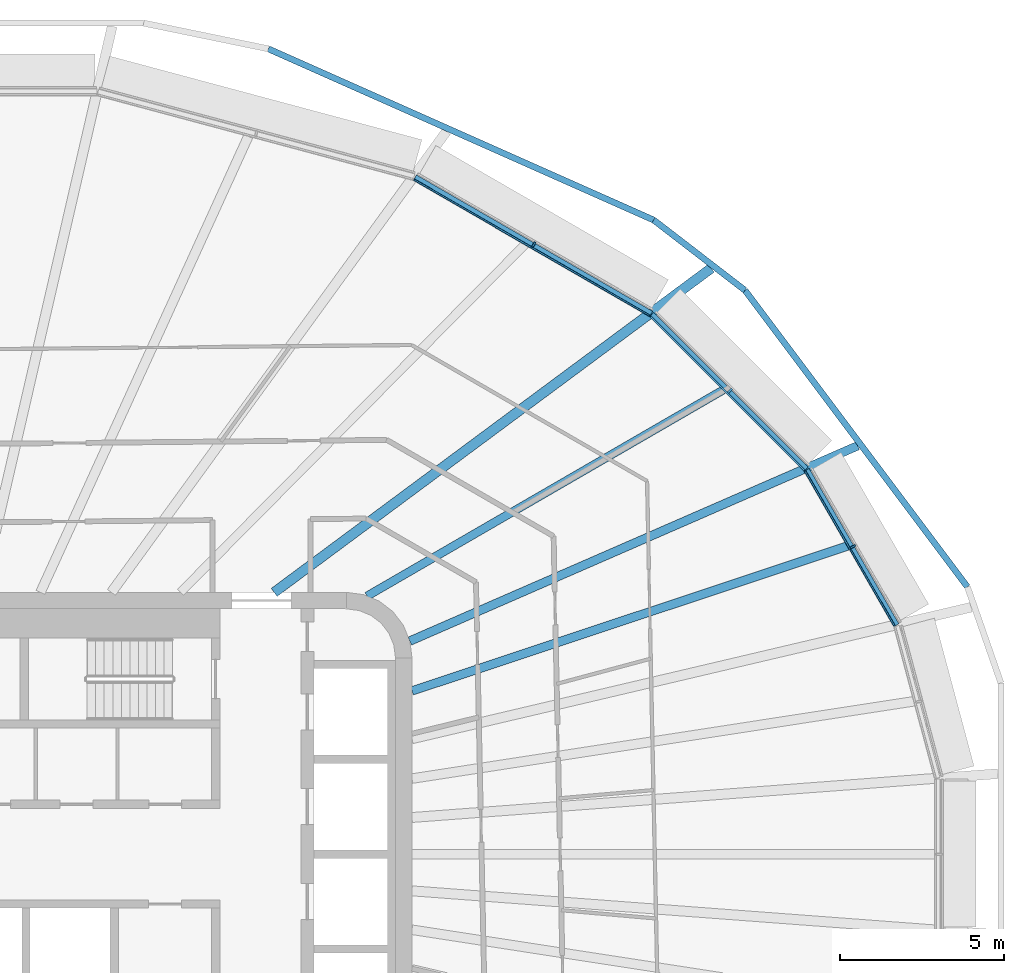
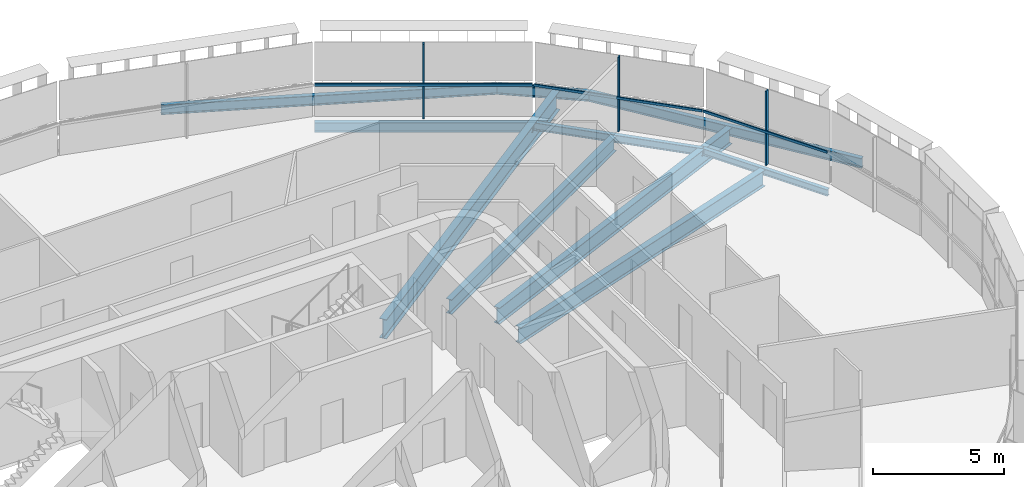
# One storey, part 7 of 23: 10 beams, 6 members, 3 elements without a shape of their own.
"""IFC4 building model written with IfcOpenShell, lengths in metres."""

import ifcopenshell
import ifcopenshell.guid

model = None  # the IFC model being written
_history = None  # IfcOwnerHistory: only IFC2X3 demands one
_inside = {}  # id of a spatial element -> (the spatial element, [elements in it])
_under = {}  # id of a project, library or spatial element -> (it, [spatial elements below it])
_declared = {}  # id of a project -> (the project, [libraries it declares])
_typed = {}  # id of a type object -> (the type object, [elements of that type])
_made_of = {}  # id of a material, layer set ... -> (it, [elements and type objects made of it])


def new_model(schema):
    """Start an empty IFC model of exactly this schema.

    Asked for "IFC4X3", IfcOpenShell would pick the latest addendum, in which some entities
    have other attributes; the version numbers below select the first issue.
    IFC2X3 requires an IfcOwnerHistory on every rooted entity: one is made here for all.
    """
    global model, _history
    if schema == "IFC4X3":
        model = ifcopenshell.file(schema_version=(4, 3, 0, 0))
    else:
        model = ifcopenshell.file(schema=schema)
    _inside.clear()
    _under.clear()
    _declared.clear()
    _typed.clear()
    _made_of.clear()
    _history = None
    if model.schema == "IFC2X3":
        org = make("IfcOrganization", Name="unknown")
        user = make(
            "IfcPersonAndOrganization",
            ThePerson=make("IfcPerson", FamilyName="unknown"),
            TheOrganization=org,
        )
        app = make(
            "IfcApplication",
            ApplicationDeveloper=org,
            Version="unknown",
            ApplicationFullName="unknown",
            ApplicationIdentifier="unknown",
        )
        _history = make(
            "IfcOwnerHistory",
            OwningUser=user,
            OwningApplication=app,
            ChangeAction="ADDED",
            CreationDate=0,
        )
    return model


def make(cls, **values):
    """One entity of the class cls with the attributes given. An attribute that is None is left unset."""
    return model.create_entity(
        cls, **{name: value for name, value in values.items() if value is not None}
    )


def rooted(cls, **values):
    """An entity with a GlobalId (a new one), such as an element, a storey or a relation."""
    return make(cls, GlobalId=ifcopenshell.guid.new(), OwnerHistory=_history, **values)


def si_unit(unit_type, name, prefix=None):
    """IfcSIUnit, for example si_unit("LENGTHUNIT", "METRE", prefix="MILLI")."""
    return make("IfcSIUnit", UnitType=unit_type, Prefix=prefix, Name=name)


def assignment(units):
    """IfcUnitAssignment: the units of a project."""
    return None if units is None else make("IfcUnitAssignment", Units=units)


def point(xyz):
    """IfcCartesianPoint."""
    return None if xyz is None else make("IfcCartesianPoint", Coordinates=xyz)


def direction(xyz):
    """IfcDirection."""
    return None if xyz is None else make("IfcDirection", DirectionRatios=xyz)


def frame(location, z_axis=None, x_axis=None):
    """IfcAxis2Placement3D, a coordinate frame: its origin and axes. An axis left out is left unset."""
    return make(
        "IfcAxis2Placement3D",
        Location=point(location),
        Axis=direction(z_axis),
        RefDirection=direction(x_axis),
    )


def frame_2d(location, x_axis=None):
    """IfcAxis2Placement2D, a coordinate frame in the plane: its origin and x axis."""
    return make(
        "IfcAxis2Placement2D", Location=point(location), RefDirection=direction(x_axis)
    )


def origin():
    """The frame at (0, 0, 0) with its axes left unset."""
    return frame((0.0, 0.0, 0.0))


def origin_2d():
    """The frame at (0, 0) in the plane with its x axis left unset."""
    return frame_2d((0.0, 0.0))


def place(relative_to, where):
    """IfcLocalPlacement: puts the frame where relative to a parent placement (None: the world)."""
    return make(
        "IfcLocalPlacement", PlacementRelTo=relative_to, RelativePlacement=where
    )


def context(
    kind, dimensions, precision=None, world=None, true_north=None, identifier=None
):
    """IfcGeometricRepresentationContext, for example the 3D "Model" context."""
    return make(
        "IfcGeometricRepresentationContext",
        ContextIdentifier=identifier,
        ContextType=kind,
        CoordinateSpaceDimension=dimensions,
        Precision=precision,
        WorldCoordinateSystem=world,
        TrueNorth=true_north,
    )


def subcontext(parent, identifier, kind, view, scale=None):
    """IfcGeometricRepresentationSubContext, for example "Body" below "Model"."""
    return make(
        "IfcGeometricRepresentationSubContext",
        ContextIdentifier=identifier,
        ContextType=kind,
        ParentContext=parent,
        TargetScale=scale,
        TargetView=view,
    )


def project(units=None, contexts=None):
    """IfcProject with its units and contexts."""
    return rooted(
        "IfcProject",
        Name="project",
        RepresentationContexts=contexts,
        UnitsInContext=assignment(units),
    )


def spatial(cls, under=None, at=None, **own):
    """A site, building, storey or space (cls), placed at a placement, below another one or the project."""
    s = rooted(cls, ObjectPlacement=at, **own)
    if under is not None:
        _under.setdefault(under.id(), (under, []))[1].append(s)
    return s


def profile(cls, at=None, kind="AREA", **sizes):
    """A parametric profile (cls). Its sizes go by their IFC names, for example OverallWidth=200.0."""
    return make(cls, ProfileType=kind, Position=at, **sizes)


def rectangle(**sizes):
    """IfcRectangleProfileDef."""
    return profile("IfcRectangleProfileDef", **sizes)


def i_section(**sizes):
    """IfcIShapeProfileDef."""
    return profile("IfcIShapeProfileDef", **sizes)


def extrude(swept, where, along, depth):
    """IfcExtrudedAreaSolid: the profile swept, set in the frame where, extruded along a direction by depth."""
    return make(
        "IfcExtrudedAreaSolid",
        SweptArea=swept,
        Position=where,
        ExtrudedDirection=direction(along),
        Depth=depth,
    )


def shape(context_of_items, identifier, shape_type, items):
    """IfcShapeRepresentation: the items that make up one representation, for example the "Body"."""
    return make(
        "IfcShapeRepresentation",
        ContextOfItems=context_of_items,
        RepresentationIdentifier=identifier,
        RepresentationType=shape_type,
        Items=items,
    )


def material(Name=None, Category=None):
    """IfcMaterial."""
    return make("IfcMaterial", Name=Name, Category=Category)


def layer(
    of_material, thickness, ventilated=None, Name=None, Category=None, Priority=None
):
    """IfcMaterialLayer: one layer of a wall or slab, of a material (None: an air gap)."""
    return make(
        "IfcMaterialLayer",
        Material=of_material,
        LayerThickness=thickness,
        IsVentilated=ventilated,
        Name=Name,
        Category=Category,
        Priority=Priority,
    )


def layer_set(layers, Name=None):
    """IfcMaterialLayerSet."""
    return make("IfcMaterialLayerSet", MaterialLayers=layers, LayerSetName=Name)


def material_profile(
    of_material, cross_section, Name=None, Category=None, Priority=None
):
    """IfcMaterialProfile: a cross section and its material."""
    return make(
        "IfcMaterialProfile",
        Name=Name,
        Material=of_material,
        Profile=cross_section,
        Priority=Priority,
        Category=Category,
    )


def profile_set(profiles, Name=None, composite=None):
    """IfcMaterialProfileSet."""
    return make(
        "IfcMaterialProfileSet",
        Name=Name,
        MaterialProfiles=profiles,
        CompositeProfile=composite,
    )


def made_of(thing, what):
    """Note that an element or type object is made of a material, layer set ...; save() writes the relation."""
    if what is not None:
        _made_of.setdefault(what.id(), (what, []))[1].append(thing)
    return thing


def type_object(cls, material=None, **own):
    """A type object (cls), such as IfcWallType, which elements share."""
    return made_of(rooted(cls, **own), material)


def element(
    cls,
    number,
    at=None,
    inside=None,
    cuts=None,
    type_object=None,
    material=None,
    context=None,
    identifier="Body",
    shape_type=None,
    held_by="IfcProductDefinitionShape",
    body=None,
    shapes=None,
    **own,
):
    """One element of the class cls, such as IfcWall. Its Tag is "e" and its number.

    at: its placement. inside: the storey or other place that contains it. cuts: it is an
    opening in that element (IfcRelVoidsElement). A single representation is given by context,
    identifier, shape_type and body (its items); several are given by shapes. held_by: the class
    of the entity that holds the representations. save() writes the other relations.
    """
    e = rooted(cls, Tag="e%d" % number, ObjectPlacement=at, **own)
    if body is not None:
        shapes = [shape(context, identifier, shape_type, body)]
    if shapes is not None:
        e.Representation = make(held_by, Representations=shapes)
    if inside is not None:
        _inside.setdefault(inside.id(), (inside, []))[1].append(e)
    if cuts is not None:
        rooted(
            "IfcRelVoidsElement", RelatingBuildingElement=cuts, RelatedOpeningElement=e
        )
    if type_object is not None:
        _typed.setdefault(type_object.id(), (type_object, []))[1].append(e)
    return made_of(e, material)


def aggregate(whole, parts):
    """IfcRelAggregates: a whole, such as a stair, and the parts it consists of."""
    return rooted("IfcRelAggregates", RelatingObject=whole, RelatedObjects=parts)


def save(model, path):
    """Write the relations noted so far, then the file.

    IfcRelAggregates (storeys below a building ...), IfcRelContainedInSpatialStructure (elements
    in a storey), IfcRelDefinesByType, IfcRelAssociatesMaterial and IfcRelDeclares: one each for
    every whole, place, type object, material and project.
    """
    for whole, parts in _under.values():
        aggregate(whole, parts)
    for where, things in _inside.values():
        rooted(
            "IfcRelContainedInSpatialStructure",
            RelatedElements=things,
            RelatingStructure=where,
        )
    for kind, things in _typed.values():
        rooted("IfcRelDefinesByType", RelatedObjects=things, RelatingType=kind)
    for what, things in _made_of.values():
        rooted("IfcRelAssociatesMaterial", RelatedObjects=things, RelatingMaterial=what)
    for by, libraries in _declared.values():
        rooted("IfcRelDeclares", RelatingContext=by, RelatedDefinitions=libraries)
    model.write(path)


model = new_model("IFC4")

# Units and contexts
model_context = context("Model", 3, precision=1e-05, world=origin(), true_north=direction((0.0, 1.0)))
body_context = subcontext(model_context, "Body", "Model", "MODEL_VIEW")
ifc_project = project(units=[si_unit("LENGTHUNIT", "METRE"), si_unit("AREAUNIT", "SQUARE_METRE"), si_unit("VOLUMEUNIT", "CUBIC_METRE"), si_unit("PLANEANGLEUNIT", "RADIAN"), si_unit("MASSUNIT", "GRAM", prefix="KILO")], contexts=[model_context])

# Site, building, storey
site_placement = place(None, origin())
site = spatial("IfcSite", under=ifc_project, at=site_placement, CompositionType="ELEMENT")
building_placement = place(site_placement, origin())
building = spatial("IfcBuilding", under=site, at=building_placement, Name="Sahrelin Media Tower", CompositionType="ELEMENT")
storey_placement = place(building_placement, frame((0.0, 0.0, 169.60009765625)))
storey = spatial("IfcBuildingStorey", under=building, at=storey_placement, Name="L35", CompositionType="ELEMENT", Elevation=169.60009765625)

# Beams
ifc_material_1 = material(Name="Steel S355", Category="steel")
ifc_material_profile_1 = material_profile(ifc_material_1, i_section(OverallWidth=0.1650390625, OverallDepth=0.303466796875, WebThickness=0.006103515625, FlangeThickness=0.01025390625, FilletRadius=0.0087890625, at=origin_2d()), Name="UB 305x165x40")
ifc_profile_set_1 = profile_set([ifc_material_profile_1], Name="Steel S355")
beam_type_1 = type_object("IfcBeamType", Name="Edge beam EB2", PredefinedType="BEAM", material=ifc_profile_set_1)
beam_1_placement = place(storey_placement, frame((27.065673828125, 11.747314453125, -0.3017578125), z_axis=(0.500008994894, -0.866020210518, 0.0), x_axis=(0.866020210518, 0.500008994894, 0.0)))
element("IfcBeam", 1, at=beam_1_placement, inside=storey, type_object=beam_type_1, Name="Edge beam L35-23", PredefinedType="BEAM", context=body_context, shape_type="SweptSolid", body=[
    extrude(i_section(OverallWidth=0.1650390625, OverallDepth=0.303466796875, WebThickness=0.006103515625, FlangeThickness=0.01025390625, FilletRadius=0.0087890625, at=origin_2d()), origin(), (0.0, 0.0, 1.0), 5.482421875),
])
ifc_material_profile_2 = material_profile(ifc_material_1, i_section(OverallWidth=0.17138671875, OverallDepth=0.35498046875, WebThickness=0.00732421875, FlangeThickness=0.011474609375, FilletRadius=0.01025390625, at=origin_2d()), Name="UB 356x171x51")
ifc_profile_set_2 = profile_set([ifc_material_profile_2], Name="Steel S355")
beam_type_2 = type_object("IfcBeamType", Name="Edge beam EB3", PredefinedType="BEAM", material=ifc_profile_set_2)
beam_2_placement = place(storey_placement, frame((22.328125, 16.489990234375, -0.32763671875), z_axis=(0.707106781187, -0.707106781187, 0.0), x_axis=(0.707106781187, 0.707106781187, 0.0)))
element("IfcBeam", 2, at=beam_2_placement, inside=storey, type_object=beam_type_2, Name="Edge beam L35-22", PredefinedType="BEAM", context=body_context, shape_type="SweptSolid", body=[
    extrude(i_section(OverallWidth=0.17138671875, OverallDepth=0.35498046875, WebThickness=0.00732421875, FlangeThickness=0.011474609375, FilletRadius=0.01025390625, at=origin_2d()), origin(), (0.0, 0.0, 1.0), 6.675048828125),
])
ifc_material_profile_3 = material_profile(ifc_material_1, i_section(OverallWidth=0.1904296875, OverallDepth=0.45703125, WebThickness=0.009033203125, FlangeThickness=0.014404296875, FilletRadius=0.01025390625, at=origin_2d()), Name="UB 457x191x74")
ifc_profile_set_3 = profile_set([ifc_material_profile_3], Name="Steel S355")
beam_type_3 = type_object("IfcBeamType", Name="Edge beam EB5", PredefinedType="BEAM", material=ifc_profile_set_3)
beam_3_placement = place(storey_placement, frame((15.086669921875, 20.67529296875, -0.378662109375), z_axis=(0.866026580217, -0.499997962354, 0.0), x_axis=(0.499997962354, 0.866026580217, 0.0)))
element("IfcBeam", 3, at=beam_3_placement, inside=storey, type_object=beam_type_3, Name="Edge beam L35-21", PredefinedType="BEAM", context=body_context, shape_type="SweptSolid", body=[
    extrude(i_section(OverallWidth=0.1904296875, OverallDepth=0.45703125, WebThickness=0.009033203125, FlangeThickness=0.014404296875, FilletRadius=0.01025390625, at=origin_2d()), origin(), (0.0, 0.0, 1.0), 8.33544921875),
])

# Curtain wall, member
ifc_material_2 = material(Name="Champagne anodised aluminium 6063-T6", Category="aluminium")
ifc_layer = layer(ifc_material_2, 0.14990234375)
ifc_layer_set = layer_set([ifc_layer], Name="Tower ribbon curtain wall")
curtain_wall_type = type_object("IfcCurtainWallType", Name="Tower ribbon curtain wall", PredefinedType="NOTDEFINED", material=ifc_layer_set)
curtain_wall_1_placement = place(storey_placement, frame((28.566162109375, 9.4482421875, 0.0), z_axis=(0.0, 0.0, 1.0), x_axis=(1.0, 0.0, 0.0)))
curtain_wall_1 = element("IfcCurtainWall", 4, at=curtain_wall_1_placement, inside=storey, type_object=curtain_wall_type, Name="L35:CW:L35-02", PredefinedType="NOTDEFINED")
ifc_material_profile_4 = material_profile(ifc_material_2, rectangle(XDim=0.06005859375, YDim=0.175048828125, at=origin_2d()), Name="Mullion 60x175")
ifc_profile_set_4 = profile_set([ifc_material_profile_4], Name="Champagne anodised aluminium 6063-T6")
member_type_1 = type_object("IfcMemberType", Name="Mullion 60x175 CW1B", PredefinedType="MULLION", material=ifc_profile_set_4)
member_1_placement = place(storey_placement, frame((28.47314453125, 9.39453125, 0.0), z_axis=(0.0, 0.0, 1.0), x_axis=(-0.500009068969, 0.866020167749, 0.0)))
member_1 = element("IfcMember", 5, at=member_1_placement, type_object=member_type_1, Name="L35:CWM:L35-02", PredefinedType="MULLION", context=body_context, shape_type="SweptSolid", body=[
    extrude(rectangle(XDim=0.06005859375, YDim=0.175048828125, at=origin_2d()), origin(), (0.0, 0.0, 1.0), 3.448486328125),
])

curtain_wall_2_placement = place(storey_placement, frame((24.794189453125, 14.236083984375, 0.0), z_axis=(0.0, 0.0, 1.0), x_axis=(1.0, 0.0, 0.0)))
curtain_wall_2 = element("IfcCurtainWall", 6, at=curtain_wall_2_placement, inside=storey, type_object=curtain_wall_type, Name="L35:CW:L35-03", PredefinedType="NOTDEFINED")
member_2_placement = place(storey_placement, frame((24.71826171875, 14.16015625, 0.0), z_axis=(0.0, 0.0, 1.0), x_axis=(-0.707106781187, 0.707106781187, 0.0)))
member_2 = element("IfcMember", 7, at=member_2_placement, type_object=member_type_1, Name="L35:CWM:L35-03", PredefinedType="MULLION", context=body_context, shape_type="SweptSolid", body=[
    extrude(rectangle(XDim=0.06005859375, YDim=0.175048828125, at=origin_2d()), origin(), (0.0, 0.0, 1.0), 3.448486328125),
])

curtain_wall_3_placement = place(storey_placement, frame((18.77099609375, 18.72119140625, 0.0), z_axis=(0.0, 0.0, 1.0), x_axis=(1.0, 0.0, 0.0)))
curtain_wall_3 = element("IfcCurtainWall", 8, at=curtain_wall_3_placement, inside=storey, type_object=curtain_wall_type, Name="L35:CW:L35-04", PredefinedType="NOTDEFINED")
member_3_placement = place(storey_placement, frame((18.71728515625, 18.628173828125, 0.0), z_axis=(0.0, 0.0, 1.0), x_axis=(-0.866028021766, 0.499995465495, 0.0)))
member_3 = element("IfcMember", 9, at=member_3_placement, type_object=member_type_1, Name="L35:CWM:L35-04", PredefinedType="MULLION", context=body_context, shape_type="SweptSolid", body=[
    extrude(rectangle(XDim=0.06005859375, YDim=0.175048828125, at=origin_2d()), origin(), (0.0, 0.0, 1.0), 3.448486328125),
])

# Beams
ifc_material_profile_5 = material_profile(ifc_material_1, i_section(OverallWidth=0.30322265625, OverallDepth=0.903076171875, WebThickness=0.01513671875, FlangeThickness=0.020263671875, FilletRadius=0.01904296875, at=origin_2d()), Name="UB 914x305x201")
ifc_profile_set_5 = profile_set([ifc_material_profile_5], Name="Steel S355")
beam_type_4 = type_object("IfcBeamType", Name="Radial primary beam PB11", PredefinedType="BEAM", material=ifc_profile_set_5)
beam_4_placement = place(storey_placement, frame((10.786865234375, 8.0, -0.6015625), z_axis=(0.803209298221, 0.595696922311, 0.0), x_axis=(-0.595696922311, 0.803209298221, 0.0)))
element("IfcBeam", 10, at=beam_4_placement, inside=storey, type_object=beam_type_4, Name="Radial beam L35-04", PredefinedType="BEAM", context=body_context, shape_type="SweptSolid", body=[
    extrude(i_section(OverallWidth=0.30322265625, OverallDepth=0.903076171875, WebThickness=0.01513671875, FlangeThickness=0.020263671875, FilletRadius=0.01904296875, at=origin_2d()), origin(), (0.0, 0.0, 1.0), 16.627685546875),
])
ifc_material_profile_6 = material_profile(ifc_material_1, i_section(OverallWidth=0.26513671875, OverallDepth=0.75390625, WebThickness=0.0126953125, FlangeThickness=0.017578125, FilletRadius=0.0166015625, at=origin_2d()), Name="UB 762x267x147")
ifc_profile_set_6 = profile_set([ifc_material_profile_6], Name="Steel S355")
beam_type_5 = type_object("IfcBeamType", Name="Radial primary beam PB9", PredefinedType="BEAM", material=ifc_profile_set_6)
beam_5_placement = place(storey_placement, frame((14.9326171875, 6.51171875, -0.527099609375), z_axis=(0.916635140425, 0.399724929594, 0.0), x_axis=(-0.399724929594, 0.916635140425, 0.0)))
element("IfcBeam", 11, at=beam_5_placement, inside=storey, type_object=beam_type_5, Name="Radial beam L35-03", PredefinedType="BEAM", context=body_context, shape_type="SweptSolid", body=[
    extrude(i_section(OverallWidth=0.26513671875, OverallDepth=0.75390625, WebThickness=0.0126953125, FlangeThickness=0.017578125, FilletRadius=0.0166015625, at=origin_2d()), origin(), (0.0, 0.0, 1.0), 14.931640625),
])
ifc_material_profile_7 = material_profile(ifc_material_1, i_section(OverallWidth=0.2529296875, OverallDepth=0.677978515625, WebThickness=0.01171875, FlangeThickness=0.01611328125, FilletRadius=0.01513671875, at=origin_2d()), Name="UB 686x254x125")
ifc_profile_set_7 = profile_set([ifc_material_profile_7], Name="Steel S355")
beam_type_6 = type_object("IfcBeamType", Name="Radial secondary beam SB8", PredefinedType="BEAM", material=ifc_profile_set_7)
beam_6_placement = place(storey_placement, frame((13.62646484375, 7.88671875, -0.489013671875), z_axis=(0.865485648512, 0.500933720386, 0.0), x_axis=(-0.500933720386, 0.865485648512, 0.0)))
element("IfcBeam", 12, at=beam_6_placement, inside=storey, type_object=beam_type_6, Name="Secondary beam L35-03", PredefinedType="BEAM", context=body_context, shape_type="SweptSolid", body=[
    extrude(i_section(OverallWidth=0.2529296875, OverallDepth=0.677978515625, WebThickness=0.01171875, FlangeThickness=0.01611328125, FilletRadius=0.01513671875, at=origin_2d()), origin(), (0.0, 0.0, 1.0), 12.57568359375),
])
ifc_material_profile_8 = material_profile(ifc_material_1, i_section(OverallWidth=0.26513671875, OverallDepth=0.75390625, WebThickness=0.0126953125, FlangeThickness=0.017578125, FilletRadius=0.0166015625, at=origin_2d()), Name="UB 762x267x147")
ifc_profile_set_8 = profile_set([ifc_material_profile_8], Name="Steel S355")
beam_type_7 = type_object("IfcBeamType", Name="Radial secondary beam SB9", PredefinedType="BEAM", material=ifc_profile_set_8)
beam_7_placement = place(storey_placement, frame((15.0, 4.9892578125, -0.527099609375), z_axis=(0.948890135418, 0.315606576147, 0.0), x_axis=(-0.315606576147, 0.948890135418, 0.0)))
element("IfcBeam", 13, at=beam_7_placement, inside=storey, type_object=beam_type_7, Name="Secondary beam L35-02", PredefinedType="BEAM", context=body_context, shape_type="SweptSolid", body=[
    extrude(i_section(OverallWidth=0.26513671875, OverallDepth=0.75390625, WebThickness=0.0126953125, FlangeThickness=0.017578125, FilletRadius=0.0166015625, at=origin_2d()), origin(), (0.0, 0.0, 1.0), 14.032470703125),
])
ifc_material_profile_9 = material_profile(ifc_material_1, i_section(OverallWidth=0.1904296875, OverallDepth=0.45703125, WebThickness=0.009033203125, FlangeThickness=0.014404296875, FilletRadius=0.01025390625, at=origin_2d()), Name="UB 457x191x74")
ifc_profile_set_9 = profile_set([ifc_material_profile_9], Name="Steel S355")
beam_type_8 = type_object("IfcBeamType", Name="Tie chord TC5", PredefinedType="BEAM", material=ifc_profile_set_9)
beam_8_placement = place(storey_placement, frame((31.97412109375, 8.166748046875, -0.378662109375), z_axis=(-0.600051716196, 0.799961210241, 0.0), x_axis=(-0.799961210241, -0.600051716196, 0.0)))
element("IfcBeam", 14, at=beam_8_placement, inside=storey, type_object=beam_type_8, Name="Tie chord L35-02", PredefinedType="BEAM", context=body_context, shape_type="SweptSolid", body=[
    extrude(i_section(OverallWidth=0.1904296875, OverallDepth=0.45703125, WebThickness=0.009033203125, FlangeThickness=0.014404296875, FilletRadius=0.01025390625, at=origin_2d()), origin(), (0.0, 0.0, 1.0), 11.32958984375),
])
beam_9_placement = place(storey_placement, frame((25.17578125, 17.22998046875, -0.378662109375), z_axis=(-0.792466741096, 0.609915128733, 0.0), x_axis=(-0.609915128733, -0.792466741096, 0.0)))
element("IfcBeam", 15, at=beam_9_placement, inside=storey, type_object=beam_type_8, Name="Tie chord L35-03", PredefinedType="BEAM", context=body_context, shape_type="SweptSolid", body=[
    extrude(i_section(OverallWidth=0.1904296875, OverallDepth=0.45703125, WebThickness=0.009033203125, FlangeThickness=0.014404296875, FilletRadius=0.01025390625, at=origin_2d()), origin(), (0.0, 0.0, 1.0), 3.521240234375),
])
beam_10_placement = place(storey_placement, frame((22.38525390625, 19.377685546875, -0.378662109375), z_axis=(-0.913832643014, 0.406091000347, 0.0), x_axis=(-0.406091000347, -0.913832643014, 0.0)))
element("IfcBeam", 16, at=beam_10_placement, inside=storey, type_object=beam_type_8, Name="Tie chord L35-04", PredefinedType="BEAM", context=body_context, shape_type="SweptSolid", body=[
    extrude(i_section(OverallWidth=0.1904296875, OverallDepth=0.45703125, WebThickness=0.009033203125, FlangeThickness=0.014404296875, FilletRadius=0.01025390625, at=origin_2d()), origin(), (0.0, 0.0, 1.0), 12.885498046875),
])

# Member
ifc_material_profile_10 = material_profile(ifc_material_2, rectangle(XDim=0.050048828125, YDim=0.110107421875, at=origin_2d()), Name="Transom 50x110")
ifc_profile_set_10 = profile_set([ifc_material_profile_10], Name="Champagne anodised aluminium 6063-T6")
member_type_2 = type_object("IfcMemberType", Name="Transom 50x110 CW1B", PredefinedType="USERDEFINED", material=ifc_profile_set_10)
member_4_placement = place(storey_placement, frame((29.73828125, 6.97802734375, 1.599853515625), z_axis=(-0.499997733992, 0.866026712061, 0.0), x_axis=(-0.866026712061, -0.499997733992, 0.0)))
member_4 = element("IfcMember", 17, at=member_4_placement, type_object=member_type_2, Name="L35:CWT:L35-02", ObjectType="TRANSOM", PredefinedType="USERDEFINED", context=body_context, shape_type="SweptSolid", body=[
    extrude(rectangle(XDim=0.050048828125, YDim=0.110107421875, at=origin_2d()), origin(), (0.0, 0.0, 1.0), 5.45068359375),
])

aggregate(curtain_wall_1, [member_1, member_4])

member_5_placement = place(storey_placement, frame((26.987548828125, 11.731689453125, 1.599853515625), z_axis=(-0.707106781187, 0.707106781187, 0.0), x_axis=(-0.707106781187, -0.707106781187, 0.0)))
member_5 = element("IfcMember", 18, at=member_5_placement, type_object=member_type_2, Name="L35:CWT:L35-03", ObjectType="TRANSOM", PredefinedType="USERDEFINED", context=body_context, shape_type="SweptSolid", body=[
    extrude(rectangle(XDim=0.050048828125, YDim=0.110107421875, at=origin_2d()), origin(), (0.0, 0.0, 1.0), 6.6435546875),
])

aggregate(curtain_wall_2, [member_2, member_5])

member_6_placement = place(storey_placement, frame((22.256591796875, 16.454833984375, 1.599853515625), z_axis=(-0.866030872041, 0.499990528583, 0.0), x_axis=(-0.499990528583, -0.866030872041, 0.0)))
member_6 = element("IfcMember", 19, at=member_6_placement, type_object=member_type_2, Name="L35:CWT:L35-04", ObjectType="TRANSOM", PredefinedType="USERDEFINED", context=body_context, shape_type="SweptSolid", body=[
    extrude(rectangle(XDim=0.050048828125, YDim=0.110107421875, at=origin_2d()), origin(), (0.0, 0.0, 1.0), 8.303955078125),
])

aggregate(curtain_wall_3, [member_3, member_6])

save(model, "model.ifc")
